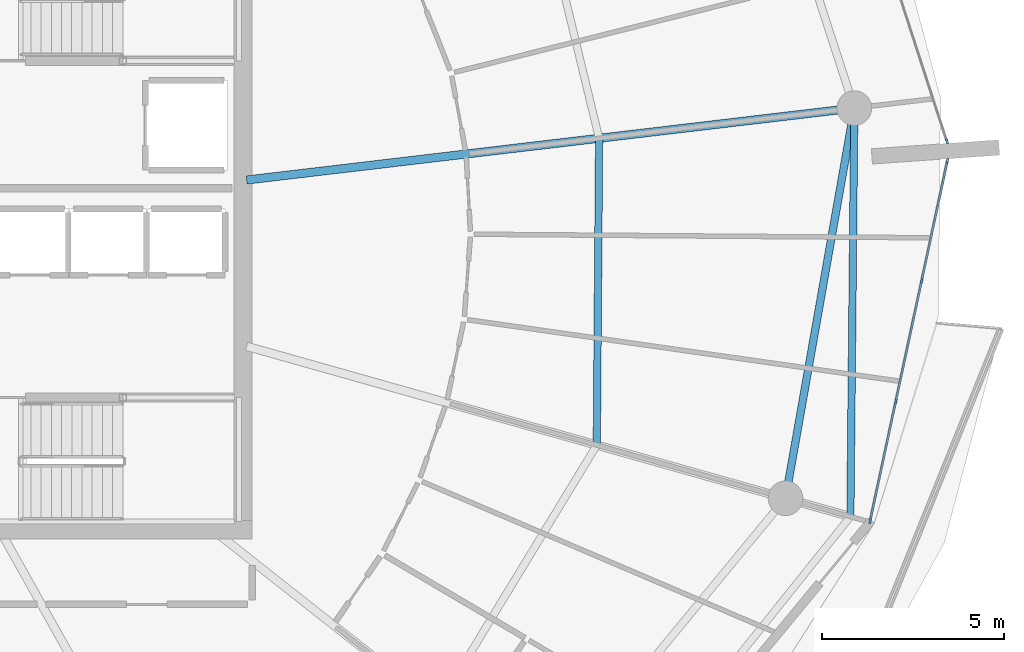
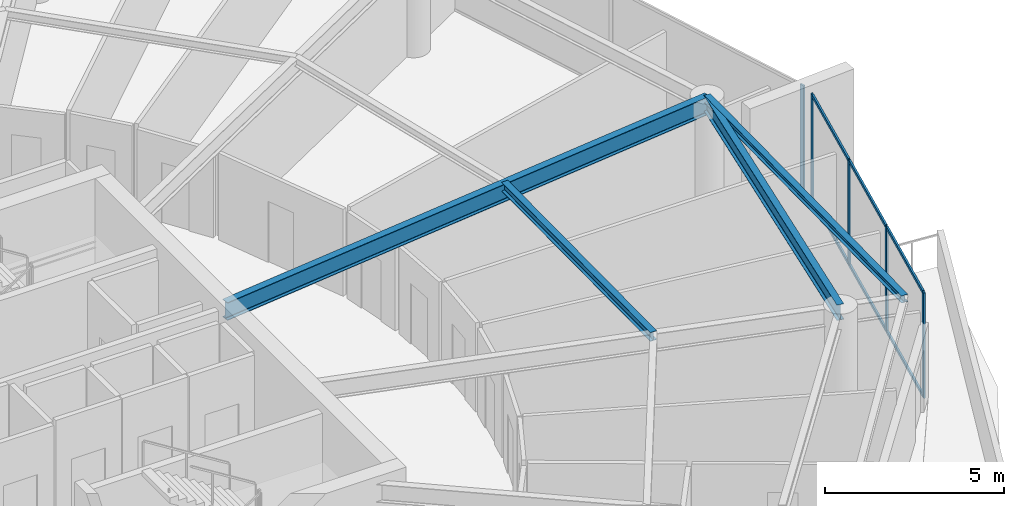
# One storey, part 10 of 29: 11 members, 4 beams, 2 elements without a shape of their own.
"""IFC4 building model written with IfcOpenShell, lengths in metres."""

import ifcopenshell
import ifcopenshell.guid

model = None  # the IFC model being written
_history = None  # IfcOwnerHistory: only IFC2X3 demands one
_inside = {}  # id of a spatial element -> (the spatial element, [elements in it])
_under = {}  # id of a project, library or spatial element -> (it, [spatial elements below it])
_declared = {}  # id of a project -> (the project, [libraries it declares])
_typed = {}  # id of a type object -> (the type object, [elements of that type])
_made_of = {}  # id of a material, layer set ... -> (it, [elements and type objects made of it])


def new_model(schema):
    """Start an empty IFC model of exactly this schema.

    Asked for "IFC4X3", IfcOpenShell would pick the latest addendum, in which some entities
    have other attributes; the version numbers below select the first issue.
    IFC2X3 requires an IfcOwnerHistory on every rooted entity: one is made here for all.
    """
    global model, _history
    if schema == "IFC4X3":
        model = ifcopenshell.file(schema_version=(4, 3, 0, 0))
    else:
        model = ifcopenshell.file(schema=schema)
    _inside.clear()
    _under.clear()
    _declared.clear()
    _typed.clear()
    _made_of.clear()
    _history = None
    if model.schema == "IFC2X3":
        org = make("IfcOrganization", Name="unknown")
        user = make(
            "IfcPersonAndOrganization",
            ThePerson=make("IfcPerson", FamilyName="unknown"),
            TheOrganization=org,
        )
        app = make(
            "IfcApplication",
            ApplicationDeveloper=org,
            Version="unknown",
            ApplicationFullName="unknown",
            ApplicationIdentifier="unknown",
        )
        _history = make(
            "IfcOwnerHistory",
            OwningUser=user,
            OwningApplication=app,
            ChangeAction="ADDED",
            CreationDate=0,
        )
    return model


def make(cls, **values):
    """One entity of the class cls with the attributes given. An attribute that is None is left unset."""
    return model.create_entity(
        cls, **{name: value for name, value in values.items() if value is not None}
    )


def rooted(cls, **values):
    """An entity with a GlobalId (a new one), such as an element, a storey or a relation."""
    return make(cls, GlobalId=ifcopenshell.guid.new(), OwnerHistory=_history, **values)


def si_unit(unit_type, name, prefix=None):
    """IfcSIUnit, for example si_unit("LENGTHUNIT", "METRE", prefix="MILLI")."""
    return make("IfcSIUnit", UnitType=unit_type, Prefix=prefix, Name=name)


def assignment(units):
    """IfcUnitAssignment: the units of a project."""
    return None if units is None else make("IfcUnitAssignment", Units=units)


def point(xyz):
    """IfcCartesianPoint."""
    return None if xyz is None else make("IfcCartesianPoint", Coordinates=xyz)


def direction(xyz):
    """IfcDirection."""
    return None if xyz is None else make("IfcDirection", DirectionRatios=xyz)


def frame(location, z_axis=None, x_axis=None):
    """IfcAxis2Placement3D, a coordinate frame: its origin and axes. An axis left out is left unset."""
    return make(
        "IfcAxis2Placement3D",
        Location=point(location),
        Axis=direction(z_axis),
        RefDirection=direction(x_axis),
    )


def frame_2d(location, x_axis=None):
    """IfcAxis2Placement2D, a coordinate frame in the plane: its origin and x axis."""
    return make(
        "IfcAxis2Placement2D", Location=point(location), RefDirection=direction(x_axis)
    )


def origin():
    """The frame at (0, 0, 0) with its axes left unset."""
    return frame((0.0, 0.0, 0.0))


def origin_2d():
    """The frame at (0, 0) in the plane with its x axis left unset."""
    return frame_2d((0.0, 0.0))


def place(relative_to, where):
    """IfcLocalPlacement: puts the frame where relative to a parent placement (None: the world)."""
    return make(
        "IfcLocalPlacement", PlacementRelTo=relative_to, RelativePlacement=where
    )


def context(
    kind, dimensions, precision=None, world=None, true_north=None, identifier=None
):
    """IfcGeometricRepresentationContext, for example the 3D "Model" context."""
    return make(
        "IfcGeometricRepresentationContext",
        ContextIdentifier=identifier,
        ContextType=kind,
        CoordinateSpaceDimension=dimensions,
        Precision=precision,
        WorldCoordinateSystem=world,
        TrueNorth=true_north,
    )


def subcontext(parent, identifier, kind, view, scale=None):
    """IfcGeometricRepresentationSubContext, for example "Body" below "Model"."""
    return make(
        "IfcGeometricRepresentationSubContext",
        ContextIdentifier=identifier,
        ContextType=kind,
        ParentContext=parent,
        TargetScale=scale,
        TargetView=view,
    )


def project(units=None, contexts=None):
    """IfcProject with its units and contexts."""
    return rooted(
        "IfcProject",
        Name="project",
        RepresentationContexts=contexts,
        UnitsInContext=assignment(units),
    )


def spatial(cls, under=None, at=None, **own):
    """A site, building, storey or space (cls), placed at a placement, below another one or the project."""
    s = rooted(cls, ObjectPlacement=at, **own)
    if under is not None:
        _under.setdefault(under.id(), (under, []))[1].append(s)
    return s


def profile(cls, at=None, kind="AREA", **sizes):
    """A parametric profile (cls). Its sizes go by their IFC names, for example OverallWidth=200.0."""
    return make(cls, ProfileType=kind, Position=at, **sizes)


def rectangle(**sizes):
    """IfcRectangleProfileDef."""
    return profile("IfcRectangleProfileDef", **sizes)


def i_section(**sizes):
    """IfcIShapeProfileDef."""
    return profile("IfcIShapeProfileDef", **sizes)


def extrude(swept, where, along, depth):
    """IfcExtrudedAreaSolid: the profile swept, set in the frame where, extruded along a direction by depth."""
    return make(
        "IfcExtrudedAreaSolid",
        SweptArea=swept,
        Position=where,
        ExtrudedDirection=direction(along),
        Depth=depth,
    )


def shape(context_of_items, identifier, shape_type, items):
    """IfcShapeRepresentation: the items that make up one representation, for example the "Body"."""
    return make(
        "IfcShapeRepresentation",
        ContextOfItems=context_of_items,
        RepresentationIdentifier=identifier,
        RepresentationType=shape_type,
        Items=items,
    )


def material(Name=None, Category=None):
    """IfcMaterial."""
    return make("IfcMaterial", Name=Name, Category=Category)


def layer(
    of_material, thickness, ventilated=None, Name=None, Category=None, Priority=None
):
    """IfcMaterialLayer: one layer of a wall or slab, of a material (None: an air gap)."""
    return make(
        "IfcMaterialLayer",
        Material=of_material,
        LayerThickness=thickness,
        IsVentilated=ventilated,
        Name=Name,
        Category=Category,
        Priority=Priority,
    )


def layer_set(layers, Name=None):
    """IfcMaterialLayerSet."""
    return make("IfcMaterialLayerSet", MaterialLayers=layers, LayerSetName=Name)


def material_profile(
    of_material, cross_section, Name=None, Category=None, Priority=None
):
    """IfcMaterialProfile: a cross section and its material."""
    return make(
        "IfcMaterialProfile",
        Name=Name,
        Material=of_material,
        Profile=cross_section,
        Priority=Priority,
        Category=Category,
    )


def profile_set(profiles, Name=None, composite=None):
    """IfcMaterialProfileSet."""
    return make(
        "IfcMaterialProfileSet",
        Name=Name,
        MaterialProfiles=profiles,
        CompositeProfile=composite,
    )


def made_of(thing, what):
    """Note that an element or type object is made of a material, layer set ...; save() writes the relation."""
    if what is not None:
        _made_of.setdefault(what.id(), (what, []))[1].append(thing)
    return thing


def type_object(cls, material=None, **own):
    """A type object (cls), such as IfcWallType, which elements share."""
    return made_of(rooted(cls, **own), material)


def element(
    cls,
    number,
    at=None,
    inside=None,
    cuts=None,
    type_object=None,
    material=None,
    context=None,
    identifier="Body",
    shape_type=None,
    held_by="IfcProductDefinitionShape",
    body=None,
    shapes=None,
    **own,
):
    """One element of the class cls, such as IfcWall. Its Tag is "e" and its number.

    at: its placement. inside: the storey or other place that contains it. cuts: it is an
    opening in that element (IfcRelVoidsElement). A single representation is given by context,
    identifier, shape_type and body (its items); several are given by shapes. held_by: the class
    of the entity that holds the representations. save() writes the other relations.
    """
    e = rooted(cls, Tag="e%d" % number, ObjectPlacement=at, **own)
    if body is not None:
        shapes = [shape(context, identifier, shape_type, body)]
    if shapes is not None:
        e.Representation = make(held_by, Representations=shapes)
    if inside is not None:
        _inside.setdefault(inside.id(), (inside, []))[1].append(e)
    if cuts is not None:
        rooted(
            "IfcRelVoidsElement", RelatingBuildingElement=cuts, RelatedOpeningElement=e
        )
    if type_object is not None:
        _typed.setdefault(type_object.id(), (type_object, []))[1].append(e)
    return made_of(e, material)


def aggregate(whole, parts):
    """IfcRelAggregates: a whole, such as a stair, and the parts it consists of."""
    return rooted("IfcRelAggregates", RelatingObject=whole, RelatedObjects=parts)


def save(model, path):
    """Write the relations noted so far, then the file.

    IfcRelAggregates (storeys below a building ...), IfcRelContainedInSpatialStructure (elements
    in a storey), IfcRelDefinesByType, IfcRelAssociatesMaterial and IfcRelDeclares: one each for
    every whole, place, type object, material and project.
    """
    for whole, parts in _under.values():
        aggregate(whole, parts)
    for where, things in _inside.values():
        rooted(
            "IfcRelContainedInSpatialStructure",
            RelatedElements=things,
            RelatingStructure=where,
        )
    for kind, things in _typed.values():
        rooted("IfcRelDefinesByType", RelatedObjects=things, RelatingType=kind)
    for what, things in _made_of.values():
        rooted("IfcRelAssociatesMaterial", RelatedObjects=things, RelatingMaterial=what)
    for by, libraries in _declared.values():
        rooted("IfcRelDeclares", RelatingContext=by, RelatedDefinitions=libraries)
    model.write(path)


model = new_model("IFC4")

# Units and contexts
model_context = context("Model", 3, precision=1e-05, world=origin(), true_north=direction((0.0, 1.0)))
body_context = subcontext(model_context, "Body", "Model", "MODEL_VIEW")
ifc_project = project(units=[si_unit("LENGTHUNIT", "METRE"), si_unit("AREAUNIT", "SQUARE_METRE"), si_unit("VOLUMEUNIT", "CUBIC_METRE"), si_unit("PLANEANGLEUNIT", "RADIAN"), si_unit("MASSUNIT", "GRAM", prefix="KILO")], contexts=[model_context])

# Site, building, storey
site_placement = place(None, origin())
site = spatial("IfcSite", under=ifc_project, at=site_placement, CompositionType="ELEMENT")
building_placement = place(site_placement, origin())
building = spatial("IfcBuilding", under=site, at=building_placement, Name="Kazma Halo Residences", CompositionType="ELEMENT")
storey_placement = place(building_placement, frame((0.0, 0.0, 286.75)))
storey = spatial("IfcBuildingStorey", under=building, at=storey_placement, Name="L72", CompositionType="ELEMENT", Elevation=286.75)

# Beams
ifc_material_1 = material(Name="Steel S355", Category="steel")
ifc_material_profile_1 = material_profile(ifc_material_1, i_section(OverallWidth=0.201904296875, OverallDepth=0.2470703125, WebThickness=0.00732421875, FlangeThickness=0.010986328125, FilletRadius=0.011962890625, at=origin_2d()), Name="W250x49.1")
ifc_profile_set_1 = profile_set([ifc_material_profile_1], Name="Steel S355")
beam_type_1 = type_object("IfcBeamType", Name="BM-BAL-CANT", PredefinedType="BEAM", material=ifc_profile_set_1)
beam_1_placement = place(storey_placement, frame((75.971435546875, 34.111083984375, 3.466552734375), z_axis=(0.009645503464, 0.999953481049, 0.0), x_axis=(-0.999953481049, 0.009645503464, 0.0)))
element("IfcBeam", 1, at=beam_1_placement, inside=storey, type_object=beam_type_1, Name="L72 wave-balcony tie beam 15", PredefinedType="BEAM", context=body_context, shape_type="SweptSolid", body=[
    extrude(i_section(OverallWidth=0.201904296875, OverallDepth=0.2470703125, WebThickness=0.00732421875, FlangeThickness=0.010986328125, FilletRadius=0.011962890625, at=origin_2d()), origin(), (0.0, 0.0, 1.0), 11.212890625),
])
ifc_material_profile_2 = material_profile(ifc_material_1, i_section(OverallWidth=0.22802734375, OverallDepth=0.60791015625, WebThickness=0.01123046875, FlangeThickness=0.017333984375, FilletRadius=0.01806640625, at=origin_2d()), Name="W610x113")
ifc_profile_set_2 = profile_set([ifc_material_profile_2], Name="Steel S355")
beam_type_2 = type_object("IfcBeamType", Name="BM-RAD-W610", PredefinedType="BEAM", material=ifc_profile_set_2)
beam_2_placement = place(storey_placement, frame((59.39990234375, 43.349365234375, 3.285888671875), z_axis=(0.993068804541, 0.117534460678, 0.0), x_axis=(-0.117534460678, 0.993068804541, 0.0)))
element("IfcBeam", 2, at=beam_2_placement, inside=storey, type_object=beam_type_2, Name="L72 radial floor beam 16", PredefinedType="BEAM", context=body_context, shape_type="SweptSolid", body=[
    extrude(i_section(OverallWidth=0.22802734375, OverallDepth=0.60791015625, WebThickness=0.01123046875, FlangeThickness=0.017333984375, FilletRadius=0.01806640625, at=origin_2d()), origin(), (0.0, 0.0, 1.0), 16.796142578125),
])
ifc_material_profile_3 = material_profile(ifc_material_1, i_section(OverallWidth=0.202880859375, OverallDepth=0.302978515625, WebThickness=0.007568359375, FlangeThickness=0.01318359375, FilletRadius=0.013916015625, at=origin_2d()), Name="W310x60")
ifc_profile_set_3 = profile_set([ifc_material_profile_3], Name="Steel S355")
beam_type_3 = type_object("IfcBeamType", Name="BM-SEC-W310A", PredefinedType="JOIST", material=ifc_profile_set_3)
beam_3_placement = place(storey_placement, frame((69.011474609375, 36.07421875, 3.4384765625), z_axis=(0.007451444375, 0.999972237603, 0.0), x_axis=(-0.999972237603, 0.007451444375, 0.0)))
element("IfcBeam", 3, at=beam_3_placement, inside=storey, type_object=beam_type_3, Name="L72 circumferential floor joist 15", PredefinedType="JOIST", context=body_context, shape_type="SweptSolid", body=[
    extrude(i_section(OverallWidth=0.202880859375, OverallDepth=0.302978515625, WebThickness=0.007568359375, FlangeThickness=0.01318359375, FilletRadius=0.013916015625, at=origin_2d()), origin(), (0.0, 0.0, 1.0), 8.42041015625),
])
ifc_material_profile_4 = material_profile(ifc_material_1, i_section(OverallWidth=0.208984375, OverallDepth=0.532958984375, WebThickness=0.01025390625, FlangeThickness=0.015625, FilletRadius=0.01611328125, at=origin_2d()), Name="W530x92")
ifc_profile_set_4 = profile_set([ifc_material_profile_4], Name="Steel S355")
beam_type_4 = type_object("IfcBeamType", Name="BM-SPN-W530", PredefinedType="BEAM", material=ifc_profile_set_4)
beam_4_placement = place(storey_placement, frame((74.19091796875, 34.61328125, 3.323486328125), z_axis=(0.173663672311, 0.984805020763, 0.0), x_axis=(-0.984805020763, 0.173663672311, 0.0)))
element("IfcBeam", 4, at=beam_4_placement, inside=storey, type_object=beam_type_4, Name="L72 perimeter ring beam 15", PredefinedType="BEAM", context=body_context, shape_type="SweptSolid", body=[
    extrude(i_section(OverallWidth=0.208984375, OverallDepth=0.532958984375, WebThickness=0.01025390625, FlangeThickness=0.015625, FilletRadius=0.01611328125, at=origin_2d()), origin(), (0.0, 0.0, 1.0), 10.87548828125),
])

# Curtain wall, members
ifc_material_2 = material(Name="Aluminium AW-6063 T6 and Triple-Silver Low-E Glass", Category="aluminium")
ifc_layer = layer(ifc_material_2, 0.139892578125)
ifc_layer_set = layer_set([ifc_layer], Name="Aluminium AW-6063 T6 and Triple-Silver Low-E Glass")
curtain_wall_type = type_object("IfcCurtainWallType", Name="CW-SYS-5", PredefinedType="NOTDEFINED", material=ifc_layer_set)
curtain_wall_1_placement = place(storey_placement, origin())
curtain_wall_1 = element("IfcCurtainWall", 5, at=curtain_wall_1_placement, inside=storey, type_object=curtain_wall_type, Name="L72 unitised curtain wall B15", PredefinedType="NOTDEFINED")
ifc_material_3 = material(Name="Aluminium AW-6063 T6", Category="aluminium")
ifc_material_profile_5 = material_profile(ifc_material_3, rectangle(XDim=0.06005859375, YDim=0.139892578125, at=origin_2d()), Name="CWM-60x140")
ifc_profile_set_5 = profile_set([ifc_material_profile_5], Name="Aluminium AW-6063 T6")
member_type_1 = type_object("IfcMemberType", Name="CW-SYS-5-MUL", PredefinedType="MULLION", material=ifc_profile_set_5)
member_1_placement = place(storey_placement, frame((76.514892578125, 33.989013671875, 0.0), z_axis=(0.0, 0.0, 1.0), x_axis=(-0.97777491373, 0.209657382603, 0.0)))
member_1 = element("IfcMember", 6, at=member_1_placement, type_object=member_type_1, Name="CWS-5 mullion 1", PredefinedType="MULLION", context=body_context, shape_type="SweptSolid", body=[
    extrude(rectangle(XDim=0.06005859375, YDim=0.139892578125, at=origin_2d()), origin(), (0.0, 0.0, 1.0), 3.590087890625),
])
member_2_placement = place(storey_placement, frame((77.218994140625, 37.2734375, 0.0), z_axis=(0.0, 0.0, 1.0), x_axis=(-0.97777491373, 0.209657382603, 0.0)))
member_2 = element("IfcMember", 7, at=member_2_placement, type_object=member_type_1, Name="CWS-5 mullion 2", PredefinedType="MULLION", context=body_context, shape_type="SweptSolid", body=[
    extrude(rectangle(XDim=0.06005859375, YDim=0.139892578125, at=origin_2d()), origin(), (0.0, 0.0, 1.0), 3.590087890625),
])
member_3_placement = place(storey_placement, frame((77.9296875, 40.587158203125, 0.0), z_axis=(0.0, 0.0, 1.0), x_axis=(-0.97777491373, 0.209657382603, 0.0)))
member_3 = element("IfcMember", 8, at=member_3_placement, type_object=member_type_1, Name="CWS-5 mullion 3", PredefinedType="MULLION", context=body_context, shape_type="SweptSolid", body=[
    extrude(rectangle(XDim=0.06005859375, YDim=0.139892578125, at=origin_2d()), origin(), (0.0, 0.0, 1.0), 3.590087890625),
])
member_4_placement = place(storey_placement, frame((78.6337890625, 43.87158203125, 0.0), z_axis=(0.0, 0.0, 1.0), x_axis=(-0.97777491373, 0.209657382603, 0.0)))
member_4 = element("IfcMember", 9, at=member_4_placement, type_object=member_type_1, Name="CWS-5 mullion 4", PredefinedType="MULLION", context=body_context, shape_type="SweptSolid", body=[
    extrude(rectangle(XDim=0.06005859375, YDim=0.139892578125, at=origin_2d()), origin(), (0.0, 0.0, 1.0), 3.590087890625),
])

# Curtain wall, member
curtain_wall_2_placement = place(storey_placement, origin())
curtain_wall_2 = element("IfcCurtainWall", 10, at=curtain_wall_2_placement, inside=storey, type_object=curtain_wall_type, Name="L72 unitised curtain wall B16", PredefinedType="NOTDEFINED")
member_5_placement = place(storey_placement, frame((78.622802734375, 44.412353515625, 0.0), z_axis=(0.0, 0.0, 1.0), x_axis=(-0.951058464359, -0.309010998786, 0.0)))
member_5 = element("IfcMember", 11, at=member_5_placement, type_object=member_type_1, Name="CWS-5 mullion 1", PredefinedType="MULLION", context=body_context, shape_type="SweptSolid", body=[
    extrude(rectangle(XDim=0.06005859375, YDim=0.139892578125, at=origin_2d()), origin(), (0.0, 0.0, 1.0), 3.590087890625),
])
aggregate(curtain_wall_2, [member_5])

# Member
ifc_material_profile_6 = material_profile(ifc_material_3, rectangle(XDim=0.06005859375, YDim=0.10498046875, at=origin_2d()), Name="CWT-60x105")
ifc_profile_set_6 = profile_set([ifc_material_profile_6], Name="Aluminium AW-6063 T6")
member_type_2 = type_object("IfcMemberType", Name="CW-SYS-5-TRN", PredefinedType="USERDEFINED", material=ifc_profile_set_6)
member_6_placement = place(storey_placement, frame((76.52099609375, 34.0185546875, 0.030029296875), z_axis=(0.209660493552, 0.977774246666, 0.0), x_axis=(-0.977774246666, 0.209660493552, 0.0)))
member_6 = element("IfcMember", 12, at=member_6_placement, type_object=member_type_2, Name="CWS-5 transom 1.1", ObjectType="TRANSOM", PredefinedType="USERDEFINED", context=body_context, shape_type="SweptSolid", body=[
    extrude(rectangle(XDim=0.06005859375, YDim=0.10498046875, at=origin_2d()), origin(), (0.0, 0.0, 1.0), 3.298828125),
])

member_7_placement = place(storey_placement, frame((76.52099609375, 34.0185546875, 3.56005859375), z_axis=(0.209660493552, 0.977774246666, 0.0), x_axis=(-0.977774246666, 0.209660493552, 0.0)))
member_7 = element("IfcMember", 13, at=member_7_placement, type_object=member_type_2, Name="CWS-5 transom 1.2", ObjectType="TRANSOM", PredefinedType="USERDEFINED", context=body_context, shape_type="SweptSolid", body=[
    extrude(rectangle(XDim=0.06005859375, YDim=0.10498046875, at=origin_2d()), origin(), (0.0, 0.0, 1.0), 3.298828125),
])

member_8_placement = place(storey_placement, frame((77.225341796875, 37.302734375, 0.030029296875), z_axis=(0.209664309019, 0.977773428522, 0.0), x_axis=(-0.977773428522, 0.209664309019, 0.0)))
member_8 = element("IfcMember", 14, at=member_8_placement, type_object=member_type_2, Name="CWS-5 transom 2.1", ObjectType="TRANSOM", PredefinedType="USERDEFINED", context=body_context, shape_type="SweptSolid", body=[
    extrude(rectangle(XDim=0.06005859375, YDim=0.10498046875, at=origin_2d()), origin(), (0.0, 0.0, 1.0), 3.3291015625),
])

member_9_placement = place(storey_placement, frame((77.225341796875, 37.302734375, 3.56005859375), z_axis=(0.209664309019, 0.977773428522, 0.0), x_axis=(-0.977773428522, 0.209664309019, 0.0)))
member_9 = element("IfcMember", 15, at=member_9_placement, type_object=member_type_2, Name="CWS-5 transom 2.2", ObjectType="TRANSOM", PredefinedType="USERDEFINED", context=body_context, shape_type="SweptSolid", body=[
    extrude(rectangle(XDim=0.06005859375, YDim=0.10498046875, at=origin_2d()), origin(), (0.0, 0.0, 1.0), 3.3291015625),
])

member_10_placement = place(storey_placement, frame((77.935791015625, 40.616455078125, 0.030029296875), z_axis=(0.209645323239, 0.977777499457, 0.0), x_axis=(-0.977777499457, 0.209645323239, 0.0)))
member_10 = element("IfcMember", 16, at=member_10_placement, type_object=member_type_2, Name="CWS-5 transom 3.1", ObjectType="TRANSOM", PredefinedType="USERDEFINED", context=body_context, shape_type="SweptSolid", body=[
    extrude(rectangle(XDim=0.06005859375, YDim=0.10498046875, at=origin_2d()), origin(), (0.0, 0.0, 1.0), 3.299072265625),
])

member_11_placement = place(storey_placement, frame((77.935791015625, 40.616455078125, 3.56005859375), z_axis=(0.209645323239, 0.977777499457, 0.0), x_axis=(-0.977777499457, 0.209645323239, 0.0)))
member_11 = element("IfcMember", 17, at=member_11_placement, type_object=member_type_2, Name="CWS-5 transom 3.2", ObjectType="TRANSOM", PredefinedType="USERDEFINED", context=body_context, shape_type="SweptSolid", body=[
    extrude(rectangle(XDim=0.06005859375, YDim=0.10498046875, at=origin_2d()), origin(), (0.0, 0.0, 1.0), 3.299072265625),
])

aggregate(curtain_wall_1, [member_1, member_2, member_3, member_4, member_6, member_7, member_8, member_9, member_10, member_11])

save(model, "model.ifc")
